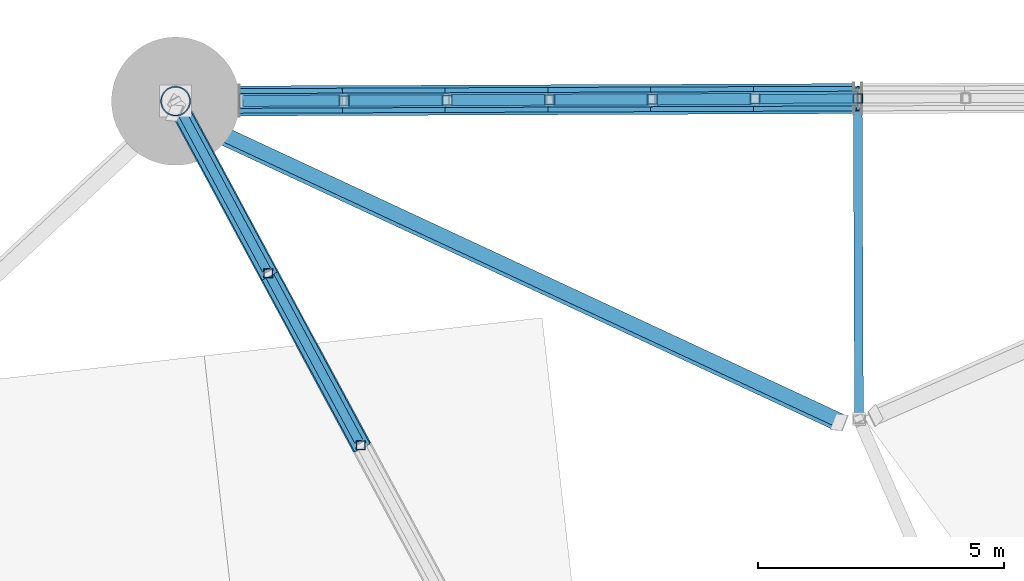
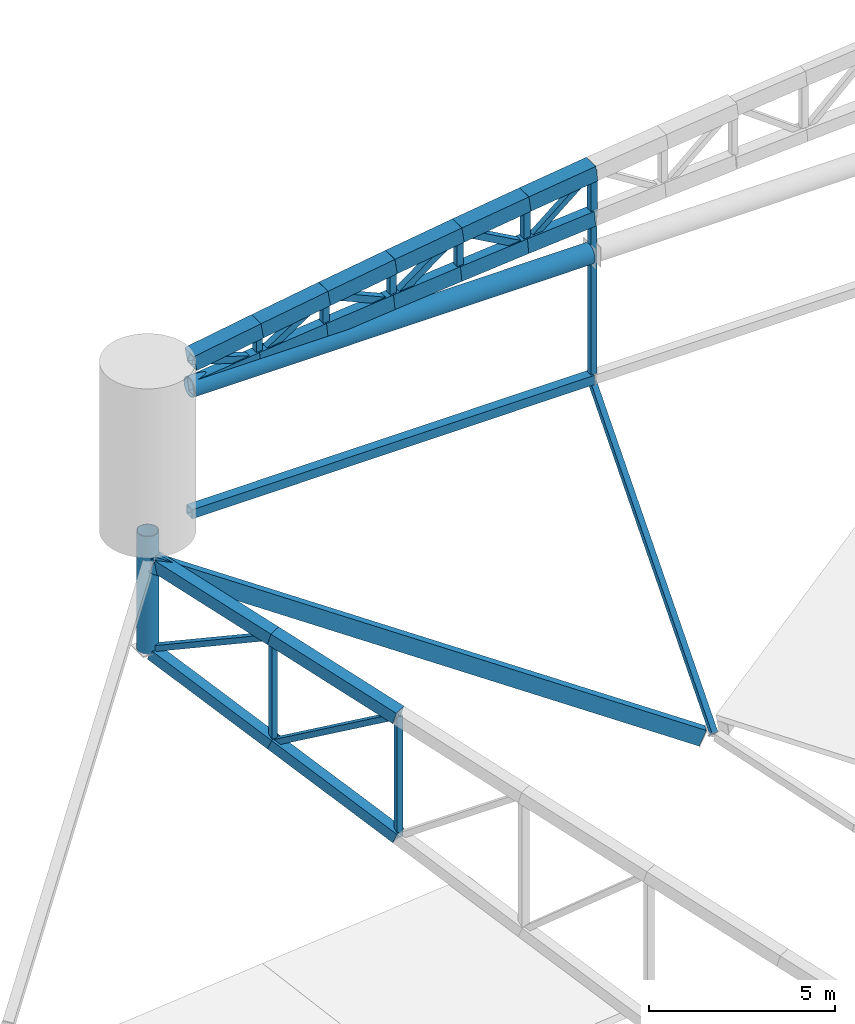
# One storey, part 78 of 188: 37 members, 1 beam.
"""IFC4 building model written with IfcOpenShell, lengths in metres."""

from ifc_helpers import new_model, si_unit, direction, frame, origin, origin_2d, place, context, subcontext, project, spatial, hollow_rectangle, hollow_circle, extrude, material, material_profile, profile_set, type_object, element, save


model = new_model("IFC4")

# Units and contexts
model_context = context("Model", 3, precision=1e-05, world=origin(), true_north=direction((0.0, 1.0)))
body_context = subcontext(model_context, "Body", "Model", "MODEL_VIEW")
ifc_project = project(units=[si_unit("LENGTHUNIT", "METRE"), si_unit("AREAUNIT", "SQUARE_METRE"), si_unit("VOLUMEUNIT", "CUBIC_METRE"), si_unit("PLANEANGLEUNIT", "RADIAN"), si_unit("MASSUNIT", "GRAM", prefix="KILO")], contexts=[model_context])

# Site, building, storey
site_placement = place(None, origin())
site = spatial("IfcSite", under=ifc_project, at=site_placement, CompositionType="ELEMENT")
building_placement = place(site_placement, origin())
building = spatial("IfcBuilding", under=site, at=building_placement, Name="Meseta Stadium", CompositionType="ELEMENT")
storey_placement = place(building_placement, frame((0.0, 0.0, 30.0)))
storey = spatial("IfcBuildingStorey", under=building, at=storey_placement, Name="ROOF", CompositionType="ELEMENT", Elevation=30.0)

# Members
ifc_material_1 = material(Name="Steel S355", Category="steel")
ifc_material_profile_1 = material_profile(ifc_material_1, hollow_circle(Radius=0.304931640625, WallThickness=0.02490234375, at=origin_2d()), Name="CHS 610x25")
ifc_profile_set_1 = profile_set([ifc_material_profile_1], Name="Steel S355")
member_type_1 = type_object("IfcMemberType", Name="CHS 610x25 arch tie", PredefinedType="STRUT", material=ifc_profile_set_1)
member_1_placement = place(storey_placement, frame((-38.4482421875, 105.1044921875, 15.550048828125), z_axis=(-0.999992619282, -0.003842054208, 0.0), x_axis=(0.003842054208, -0.999992619282, 0.0)))
element("IfcMember", 1, at=member_1_placement, inside=storey, type_object=member_type_1, Name="GABLE ARCH GA-N tie 06", PredefinedType="STRUT", context=body_context, shape_type="SweptSolid", body=[
    extrude(hollow_circle(Radius=0.304931640625, WallThickness=0.02490234375, at=origin_2d()), origin(), (0.0, 0.0, 1.0), 12.45458984375),
])
ifc_material_2 = material(Name="Steel S355", Category="steel")
ifc_material_profile_2 = material_profile(ifc_material_2, hollow_circle(Radius=0.304931640625, WallThickness=0.02490234375, at=origin_2d()), Name="CHS 610x25")
ifc_profile_set_2 = profile_set([ifc_material_profile_2], Name="Steel S355")
member_type_2 = type_object("IfcMemberType", Name="CHS 610x25 pylon post", PredefinedType="POST", material=ifc_profile_set_2)
member_2_placement = place(storey_placement, frame((-52.202880859375, 105.0517578125, 7.433837890625), z_axis=(0.0, 0.0, 1.0), x_axis=(1.0, 0.0, 0.0)))
element("IfcMember", 2, at=member_2_placement, inside=storey, type_object=member_type_2, Name="GABLE ARCH GA-N pylon post", PredefinedType="POST", context=body_context, shape_type="SweptSolid", body=[
    extrude(hollow_circle(Radius=0.304931640625, WallThickness=0.02490234375, at=origin_2d()), origin(), (0.0, 0.0, 1.0), 3.8662109375),
])
ifc_material_3 = material(Name="Steel S355", Category="steel")
ifc_material_profile_3 = material_profile(ifc_material_3, hollow_rectangle(XDim=0.300048828125, YDim=0.5, WallThickness=0.01611328125, at=origin_2d()), Name="RHS 500x300x16")
ifc_profile_set_3 = profile_set([ifc_material_profile_3], Name="Steel S355")
member_type_3 = type_object("IfcMemberType", Name="RHS 500x300x16 arch bottom chord", PredefinedType="CHORD", material=ifc_profile_set_3)
member_3_placement = place(storey_placement, frame((-38.3583984375, 105.10498046875, 16.739501953125), z_axis=(-0.996825304627, -0.003853706075, -0.079526479903), x_axis=(0.003865950492, -0.999992527185, 0.0)))
element("IfcMember", 3, at=member_3_placement, inside=storey, type_object=member_type_3, Name="GABLE ARCH GA-N bottom chord", PredefinedType="CHORD", context=body_context, shape_type="SweptSolid", body=[
    extrude(hollow_rectangle(XDim=0.300048828125, YDim=0.5, WallThickness=0.01611328125, at=origin_2d()), origin(), (0.0, 0.0, 1.0), 2.090576171875),
])
member_4_placement = place(storey_placement, frame((-40.4423828125, 105.096923828125, 16.5732421875), z_axis=(-0.996346632817, -0.003851404344, -0.085314441676), x_axis=(0.003865497652, -0.999992528936, 0.0)))
element("IfcMember", 4, at=member_4_placement, inside=storey, type_object=member_type_3, Name="GABLE ARCH GA-N bottom chord", PredefinedType="CHORD", context=body_context, shape_type="SweptSolid", body=[
    extrude(hollow_rectangle(XDim=0.300048828125, YDim=0.5, WallThickness=0.01611328125, at=origin_2d()), origin(), (0.0, 0.0, 1.0), 2.091796875),
])
member_5_placement = place(storey_placement, frame((-42.526611328125, 105.0888671875, 16.394775390625), z_axis=(-0.995801248961, -0.003849747096, -0.091460658293), x_axis=(0.003865950492, -0.999992527185, 0.0)))
element("IfcMember", 5, at=member_5_placement, inside=storey, type_object=member_type_3, Name="GABLE ARCH GA-N bottom chord", PredefinedType="CHORD", context=body_context, shape_type="SweptSolid", body=[
    extrude(hollow_rectangle(XDim=0.300048828125, YDim=0.5, WallThickness=0.01611328125, at=origin_2d()), origin(), (0.0, 0.0, 1.0), 2.0927734375),
])
member_6_placement = place(storey_placement, frame((-44.610595703125, 105.080810546875, 16.203369140625), z_axis=(-0.995219604708, -0.003847498472, -0.097586552149), x_axis=(0.003865950492, -0.999992527185, 0.0)))
element("IfcMember", 6, at=member_6_placement, inside=storey, type_object=member_type_3, Name="GABLE ARCH GA-N bottom chord", PredefinedType="CHORD", context=body_context, shape_type="SweptSolid", body=[
    extrude(hollow_rectangle(XDim=0.300048828125, YDim=0.5, WallThickness=0.01611328125, at=origin_2d()), origin(), (0.0, 0.0, 1.0), 2.093994140625),
])
member_7_placement = place(storey_placement, frame((-46.694580078125, 105.07275390625, 15.9990234375), z_axis=(-0.994578682622, -0.003728068156, -0.103919899836), x_axis=(0.003748363031, -0.999992974863, 0.0)))
element("IfcMember", 7, at=member_7_placement, inside=storey, type_object=member_type_3, Name="GABLE ARCH GA-N bottom chord", PredefinedType="CHORD", context=body_context, shape_type="SweptSolid", body=[
    extrude(hollow_rectangle(XDim=0.300048828125, YDim=0.5, WallThickness=0.01611328125, at=origin_2d()), origin(), (0.0, 0.0, 1.0), 2.095703125),
])
member_8_placement = place(storey_placement, frame((-48.77880859375, 105.06494140625, 15.78125), z_axis=(-0.993894843294, -0.003842376971, -0.110264575515), x_axis=(0.003865950492, -0.999992527185, 0.0)))
element("IfcMember", 8, at=member_8_placement, inside=storey, type_object=member_type_3, Name="GABLE ARCH GA-N bottom chord", PredefinedType="CHORD", context=body_context, shape_type="SweptSolid", body=[
    extrude(hollow_rectangle(XDim=0.300048828125, YDim=0.5, WallThickness=0.01611328125, at=origin_2d()), origin(), (0.0, 0.0, 1.0), 2.0966796875),
])

# Beam
ifc_material_4 = material(Name="Steel S355", Category="steel")
ifc_material_profile_4 = material_profile(ifc_material_4, hollow_rectangle(XDim=0.300048828125, YDim=0.5, WallThickness=0.01611328125, at=origin_2d()), Name="RHS 500x300x16")
ifc_profile_set_4 = profile_set([ifc_material_profile_4], Name="Steel S355")
beam_type = type_object("IfcBeamType", Name="RHS 500x300x16 rim ring beam", PredefinedType="BEAM", material=ifc_profile_set_4)
beam_placement = place(storey_placement, frame((-38.73828125, 98.535400390625, 3.780029296875), z_axis=(-0.828530978869, 0.38540094593, 0.406205031888), x_axis=(-0.362948531862, -0.922047672454, 0.134523057284)))
element("IfcBeam", 9, at=beam_placement, inside=storey, type_object=beam_type, Name="RIM RING BEAM 22", PredefinedType="BEAM", context=body_context, shape_type="SweptSolid", body=[
    extrude(hollow_rectangle(XDim=0.300048828125, YDim=0.5, WallThickness=0.01611328125, at=origin_2d()), origin(), (0.0, 0.0, 1.0), 16.26513671875),
])

# Members
ifc_material_5 = material(Name="Steel S355", Category="steel")
ifc_material_profile_5 = material_profile(ifc_material_5, hollow_rectangle(XDim=0.179931640625, YDim=0.179931640625, WallThickness=0.00634765625, at=origin_2d()), Name="SHS 180x180x6.3")
ifc_profile_set_5 = profile_set([ifc_material_profile_5], Name="Steel S355")
member_type_4 = type_object("IfcMemberType", Name="SHS 180x180x6.3 arch diagonal", PredefinedType="BRACE", material=ifc_profile_set_5)
member_9_placement = place(storey_placement, frame((-38.3583984375, 105.10498046875, 18.2880859375), z_axis=(-0.772177416353, -0.00298522197, -0.635399973344), x_axis=(0.003865950492, -0.999992527185, 0.0)))
element("IfcMember", 10, at=member_9_placement, inside=storey, type_object=member_type_4, Name="GABLE ARCH GA-N diagonal", PredefinedType="BRACE", context=body_context, shape_type="SweptSolid", body=[
    extrude(hollow_rectangle(XDim=0.179931640625, YDim=0.179931640625, WallThickness=0.00634765625, at=origin_2d()), origin(), (0.0, 0.0, 1.0), 2.69873046875),
])
ifc_material_6 = material(Name="Steel S355", Category="steel")
ifc_material_profile_6 = material_profile(ifc_material_6, hollow_rectangle(XDim=0.179931640625, YDim=0.179931640625, WallThickness=0.00634765625, at=origin_2d()), Name="SHS 180x180x6.3")
ifc_profile_set_6 = profile_set([ifc_material_profile_6], Name="Steel S355")
member_type_5 = type_object("IfcMemberType", Name="SHS 180x180x6.3 diagonal", PredefinedType="BRACE", material=ifc_profile_set_6)
member_10_placement = place(storey_placement, frame((-48.442626953125, 98.0712890625, 8.146728515625), z_axis=(-0.408562640707, 0.758448449753, -0.507772111961), x_axis=(-0.880390012232, -0.474250383618, 0.0)))
element("IfcMember", 11, at=member_10_placement, inside=storey, type_object=member_type_5, Name="ROOF TRUSS RT-22 diagonal", PredefinedType="BRACE", context=body_context, shape_type="SweptSolid", body=[
    extrude(hollow_rectangle(XDim=0.179931640625, YDim=0.179931640625, WallThickness=0.00634765625, at=origin_2d()), origin(), (0.0, 0.0, 1.0), 4.601806640625),
])
member_11_placement = place(storey_placement, frame((-50.32275390625, 101.5615234375, 9.290283203125), z_axis=(-0.429492314417, 0.797301925323, -0.42408252939), x_axis=(-0.880390012232, -0.474250383618, 0.0)))
element("IfcMember", 12, at=member_11_placement, inside=storey, type_object=member_type_5, Name="ROOF TRUSS RT-22 diagonal", PredefinedType="BRACE", context=body_context, shape_type="SweptSolid", body=[
    extrude(hollow_rectangle(XDim=0.179931640625, YDim=0.179931640625, WallThickness=0.00634765625, at=origin_2d()), origin(), (0.0, 0.0, 1.0), 4.37744140625),
])
ifc_material_7 = material(Name="Steel S355", Category="steel")
ifc_material_profile_7 = material_profile(ifc_material_7, hollow_rectangle(XDim=0.179931640625, YDim=0.179931640625, WallThickness=0.00634765625, at=origin_2d()), Name="SHS 180x180x6.3")
ifc_profile_set_7 = profile_set([ifc_material_profile_7], Name="Steel S355")
member_type_6 = type_object("IfcMemberType", Name="SHS 180x180x6.3 hanger", PredefinedType="STRUT", material=ifc_profile_set_7)
member_12_placement = place(storey_placement, frame((-38.3583984375, 105.10498046875, 16.739501953125), z_axis=(0.0, 0.0, -1.0), x_axis=(1.0, 0.0, 0.0)))
element("IfcMember", 13, at=member_12_placement, inside=storey, type_object=member_type_6, Name="GABLE ARCH GA-N hanger RT-21", PredefinedType="STRUT", context=body_context, shape_type="SweptSolid", body=[
    extrude(hollow_rectangle(XDim=0.179931640625, YDim=0.179931640625, WallThickness=0.00634765625, at=origin_2d()), origin(), (0.0, 0.0, 1.0), 5.139404296875),
])
member_13_placement = place(storey_placement, frame((-38.3583984375, 105.10498046875, 11.300048828125), z_axis=(0.002509508099, -0.64915858043, -0.760648959654), x_axis=(0.999992527933, 0.003865757033, 0.0)))
element("IfcMember", 14, at=member_13_placement, inside=storey, type_object=member_type_6, Name="GABLE ARCH GA-N hanger RT-21", PredefinedType="STRUT", context=body_context, shape_type="SweptSolid", body=[
    extrude(hollow_rectangle(XDim=0.179931640625, YDim=0.179931640625, WallThickness=0.00634765625, at=origin_2d()), origin(), (0.0, 0.0, 1.0), 10.0205078125),
])
ifc_material_8 = material(Name="Steel S355", Category="steel")
ifc_material_profile_8 = material_profile(ifc_material_8, hollow_rectangle(XDim=0.179931640625, YDim=0.179931640625, WallThickness=0.00634765625, at=origin_2d()), Name="SHS 180x180x6.3")
ifc_profile_set_8 = profile_set([ifc_material_profile_8], Name="Steel S355")
member_type_7 = type_object("IfcMemberType", Name="SHS 180x180x6.3 post", PredefinedType="POST", material=ifc_profile_set_8)
member_14_placement = place(storey_placement, frame((-48.442626953125, 98.0712890625, 4.1865234375), z_axis=(0.0, 0.0, 1.0), x_axis=(1.0, 0.0, 0.0)))
element("IfcMember", 15, at=member_14_placement, inside=storey, type_object=member_type_7, Name="ROOF TRUSS RT-22 post", PredefinedType="POST", context=body_context, shape_type="SweptSolid", body=[
    extrude(hollow_rectangle(XDim=0.179931640625, YDim=0.179931640625, WallThickness=0.00634765625, at=origin_2d()), origin(), (0.0, 0.0, 1.0), 3.960205078125),
])
member_15_placement = place(storey_placement, frame((-50.32275390625, 101.5615234375, 5.81005859375), z_axis=(0.0, 0.0, 1.0), x_axis=(1.0, 0.0, 0.0)))
element("IfcMember", 16, at=member_15_placement, inside=storey, type_object=member_type_7, Name="ROOF TRUSS RT-22 post", PredefinedType="POST", context=body_context, shape_type="SweptSolid", body=[
    extrude(hollow_rectangle(XDim=0.179931640625, YDim=0.179931640625, WallThickness=0.00634765625, at=origin_2d()), origin(), (0.0, 0.0, 1.0), 3.480224609375),
])
ifc_material_9 = material(Name="Steel S355", Category="steel")
ifc_material_profile_9 = material_profile(ifc_material_9, hollow_rectangle(XDim=0.199951171875, YDim=0.199951171875, WallThickness=0.008056640625, at=origin_2d()), Name="SHS 200x200x8")
ifc_profile_set_9 = profile_set([ifc_material_profile_9], Name="Steel S355")
member_type_8 = type_object("IfcMemberType", Name="SHS 200x200x8 arch vertical", PredefinedType="POST", material=ifc_profile_set_9)
member_16_placement = place(storey_placement, frame((-38.3583984375, 105.10498046875, 16.739501953125), z_axis=(0.0, 0.0, 1.0), x_axis=(1.0, 0.0, 0.0)))
element("IfcMember", 17, at=member_16_placement, inside=storey, type_object=member_type_8, Name="GABLE ARCH GA-N vertical", PredefinedType="POST", context=body_context, shape_type="SweptSolid", body=[
    extrude(hollow_rectangle(XDim=0.199951171875, YDim=0.199951171875, WallThickness=0.008056640625, at=origin_2d()), origin(), (0.0, 0.0, 1.0), 1.548583984375),
])
member_17_placement = place(storey_placement, frame((-40.4423828125, 105.096923828125, 16.5732421875), z_axis=(0.0, 0.0, 1.0), x_axis=(1.0, 0.0, 0.0)))
element("IfcMember", 18, at=member_17_placement, inside=storey, type_object=member_type_8, Name="GABLE ARCH GA-N vertical", PredefinedType="POST", context=body_context, shape_type="SweptSolid", body=[
    extrude(hollow_rectangle(XDim=0.199951171875, YDim=0.199951171875, WallThickness=0.008056640625, at=origin_2d()), origin(), (0.0, 0.0, 1.0), 1.446044921875),
])
member_18_placement = place(storey_placement, frame((-42.526611328125, 105.0888671875, 16.394775390625), z_axis=(0.0, 0.0, 1.0), x_axis=(1.0, 0.0, 0.0)))
element("IfcMember", 19, at=member_18_placement, inside=storey, type_object=member_type_8, Name="GABLE ARCH GA-N vertical", PredefinedType="POST", context=body_context, shape_type="SweptSolid", body=[
    extrude(hollow_rectangle(XDim=0.199951171875, YDim=0.199951171875, WallThickness=0.008056640625, at=origin_2d()), origin(), (0.0, 0.0, 1.0), 1.34033203125),
])
member_19_placement = place(storey_placement, frame((-44.610595703125, 105.080810546875, 16.203369140625), z_axis=(0.0, 0.0, 1.0), x_axis=(1.0, 0.0, 0.0)))
element("IfcMember", 20, at=member_19_placement, inside=storey, type_object=member_type_8, Name="GABLE ARCH GA-N vertical", PredefinedType="POST", context=body_context, shape_type="SweptSolid", body=[
    extrude(hollow_rectangle(XDim=0.199951171875, YDim=0.199951171875, WallThickness=0.008056640625, at=origin_2d()), origin(), (0.0, 0.0, 1.0), 1.232666015625),
])
member_20_placement = place(storey_placement, frame((-46.694580078125, 105.07275390625, 15.9990234375), z_axis=(0.0, 0.0, 1.0), x_axis=(1.0, 0.0, 0.0)))
element("IfcMember", 21, at=member_20_placement, inside=storey, type_object=member_type_8, Name="GABLE ARCH GA-N vertical", PredefinedType="POST", context=body_context, shape_type="SweptSolid", body=[
    extrude(hollow_rectangle(XDim=0.199951171875, YDim=0.199951171875, WallThickness=0.008056640625, at=origin_2d()), origin(), (0.0, 0.0, 1.0), 1.122802734375),
])
member_21_placement = place(storey_placement, frame((-48.77880859375, 105.06494140625, 15.78125), z_axis=(0.0, 0.0, 1.0), x_axis=(1.0, 0.0, 0.0)))
element("IfcMember", 22, at=member_21_placement, inside=storey, type_object=member_type_8, Name="GABLE ARCH GA-N vertical", PredefinedType="POST", context=body_context, shape_type="SweptSolid", body=[
    extrude(hollow_rectangle(XDim=0.199951171875, YDim=0.199951171875, WallThickness=0.008056640625, at=origin_2d()), origin(), (0.0, 0.0, 1.0), 1.01171875),
])
ifc_material_10 = material(Name="Steel S355", Category="steel")
ifc_material_profile_10 = material_profile(ifc_material_10, hollow_rectangle(XDim=0.219970703125, YDim=0.219970703125, WallThickness=0.008056640625, at=origin_2d()), Name="SHS 220x220x8")
ifc_profile_set_10 = profile_set([ifc_material_profile_10], Name="Steel S355")
member_type_9 = type_object("IfcMemberType", Name="SHS 220x220x8 arch diagonal", PredefinedType="BRACE", material=ifc_profile_set_10)
member_22_placement = place(storey_placement, frame((-40.4423828125, 105.096923828125, 16.5732421875), z_axis=(-0.873446764554, -0.003376331642, 0.486907948051), x_axis=(0.003865497652, -0.999992528936, 0.0)))
element("IfcMember", 23, at=member_22_placement, inside=storey, type_object=member_type_9, Name="GABLE ARCH GA-N diagonal", PredefinedType="BRACE", context=body_context, shape_type="SweptSolid", body=[
    extrude(hollow_rectangle(XDim=0.219970703125, YDim=0.219970703125, WallThickness=0.008056640625, at=origin_2d()), origin(), (0.0, 0.0, 1.0), 2.38623046875),
])
member_23_placement = place(storey_placement, frame((-42.526611328125, 105.0888671875, 17.735107421875), z_axis=(-0.805758392327, -0.003115045331, -0.592236194173), x_axis=(0.003865950492, -0.999992527185, 0.0)))
element("IfcMember", 24, at=member_23_placement, inside=storey, type_object=member_type_9, Name="GABLE ARCH GA-N diagonal", PredefinedType="BRACE", context=body_context, shape_type="SweptSolid", body=[
    extrude(hollow_rectangle(XDim=0.219970703125, YDim=0.219970703125, WallThickness=0.008056640625, at=origin_2d()), origin(), (0.0, 0.0, 1.0), 2.58642578125),
])
member_24_placement = place(storey_placement, frame((-44.610595703125, 105.080810546875, 16.203369140625), z_axis=(-0.915065708637, -0.003537625162, 0.403289268497), x_axis=(0.003865950492, -0.999992527185, 0.0)))
element("IfcMember", 25, at=member_24_placement, inside=storey, type_object=member_type_9, Name="GABLE ARCH GA-N diagonal", PredefinedType="BRACE", context=body_context, shape_type="SweptSolid", body=[
    extrude(hollow_rectangle(XDim=0.219970703125, YDim=0.219970703125, WallThickness=0.008056640625, at=origin_2d()), origin(), (0.0, 0.0, 1.0), 2.27734375),
])
member_25_placement = place(storey_placement, frame((-46.694580078125, 105.07275390625, 17.121826171875), z_axis=(-0.841043032541, -0.003152556758, -0.540959036158), x_axis=(0.003748363031, -0.999992974863, 0.0)))
element("IfcMember", 26, at=member_25_placement, inside=storey, type_object=member_type_9, Name="GABLE ARCH GA-N diagonal", PredefinedType="BRACE", context=body_context, shape_type="SweptSolid", body=[
    extrude(hollow_rectangle(XDim=0.219970703125, YDim=0.219970703125, WallThickness=0.008056640625, at=origin_2d()), origin(), (0.0, 0.0, 1.0), 2.47802734375),
])
member_26_placement = place(storey_placement, frame((-48.77880859375, 105.06494140625, 15.78125), z_axis=(-0.952175193178, -0.003681089664, 0.305530442141), x_axis=(0.003865950492, -0.999992527185, 0.0)))
element("IfcMember", 27, at=member_26_placement, inside=storey, type_object=member_type_9, Name="GABLE ARCH GA-N diagonal", PredefinedType="BRACE", context=body_context, shape_type="SweptSolid", body=[
    extrude(hollow_rectangle(XDim=0.219970703125, YDim=0.219970703125, WallThickness=0.008056640625, at=origin_2d()), origin(), (0.0, 0.0, 1.0), 2.188720703125),
])
ifc_material_11 = material(Name="Steel S355", Category="steel")
ifc_material_profile_11 = material_profile(ifc_material_11, hollow_rectangle(XDim=0.300048828125, YDim=0.300048828125, WallThickness=0.010009765625, at=origin_2d()), Name="SHS 300x300x10")
ifc_profile_set_11 = profile_set([ifc_material_profile_11], Name="Steel S355")
member_type_10 = type_object("IfcMemberType", Name="SHS 300x300x10 arch sill", PredefinedType="STRUT", material=ifc_profile_set_11)
member_27_placement = place(storey_placement, frame((-38.3583984375, 105.10498046875, 11.449951171875), z_axis=(-0.999992575392, -0.003853460938, 0.0), x_axis=(0.003853460938, -0.999992575392, 0.0)))
element("IfcMember", 28, at=member_27_placement, inside=storey, type_object=member_type_10, Name="GABLE ARCH GA-N sill beam 06", PredefinedType="STRUT", context=body_context, shape_type="SweptSolid", body=[
    extrude(hollow_rectangle(XDim=0.300048828125, YDim=0.300048828125, WallThickness=0.010009765625, at=origin_2d()), origin(), (0.0, 0.0, 1.0), 12.54443359375),
])
ifc_material_12 = material(Name="Steel S355", Category="steel")
ifc_material_profile_12 = material_profile(ifc_material_12, hollow_rectangle(XDim=0.35009765625, YDim=0.35009765625, WallThickness=0.010009765625, at=origin_2d()), Name="SHS 350x350x10")
ifc_profile_set_12 = profile_set([ifc_material_profile_12], Name="Steel S355")
member_type_11 = type_object("IfcMemberType", Name="SHS 350x350x10 bottom chord", PredefinedType="CHORD", material=ifc_profile_set_12)
member_28_placement = place(storey_placement, frame((-48.442626953125, 98.0712890625, 4.1865234375), z_axis=(-0.438873945099, 0.814717818352, 0.378978280081), x_axis=(-0.880390012232, -0.474250383618, 0.0)))
element("IfcMember", 29, at=member_28_placement, inside=storey, type_object=member_type_11, Name="ROOF TRUSS RT-22 bottom chord", PredefinedType="CHORD", context=body_context, shape_type="SweptSolid", body=[
    extrude(hollow_rectangle(XDim=0.35009765625, YDim=0.35009765625, WallThickness=0.010009765625, at=origin_2d()), origin(), (0.0, 0.0, 1.0), 4.283935546875),
])
member_29_placement = place(storey_placement, frame((-50.32275390625, 101.5615234375, 5.81005859375), z_axis=(-0.43884780728, 0.814714477853, 0.379015727408), x_axis=(-0.880400993177, -0.474229998221, 0.0)))
element("IfcMember", 30, at=member_29_placement, inside=storey, type_object=member_type_11, Name="ROOF TRUSS RT-22 bottom chord", PredefinedType="CHORD", context=body_context, shape_type="SweptSolid", body=[
    extrude(hollow_rectangle(XDim=0.35009765625, YDim=0.35009765625, WallThickness=0.010009765625, at=origin_2d()), origin(), (0.0, 0.0, 1.0), 4.10888671875),
])
ifc_material_13 = material(Name="Steel S355", Category="steel")
ifc_material_profile_13 = material_profile(ifc_material_13, hollow_rectangle(XDim=0.39990234375, YDim=0.39990234375, WallThickness=0.010009765625, at=origin_2d()), Name="SHS 400x400x10")
ifc_profile_set_13 = profile_set([ifc_material_profile_13], Name="Steel S355")
member_type_12 = type_object("IfcMemberType", Name="SHS 400x400x10 top chord", PredefinedType="CHORD", material=ifc_profile_set_13)
member_30_placement = place(storey_placement, frame((-48.442626953125, 98.0712890625, 8.146728515625), z_axis=(-0.45567179988, 0.845901058446, 0.277154487812), x_axis=(-0.880390012232, -0.474250383618, 0.0)))
element("IfcMember", 31, at=member_30_placement, inside=storey, type_object=member_type_12, Name="ROOF TRUSS RT-22 top chord", PredefinedType="CHORD", context=body_context, shape_type="SweptSolid", body=[
    extrude(hollow_rectangle(XDim=0.39990234375, YDim=0.39990234375, WallThickness=0.010009765625, at=origin_2d()), origin(), (0.0, 0.0, 1.0), 4.1259765625),
])
member_31_placement = place(storey_placement, frame((-50.32275390625, 101.5615234375, 9.290283203125), z_axis=(-0.455671760503, 0.845903272243, 0.277147795749), x_axis=(-0.880390547556, -0.474249389851, 0.0)))
element("IfcMember", 32, at=member_31_placement, inside=storey, type_object=member_type_12, Name="ROOF TRUSS RT-22 top chord", PredefinedType="CHORD", context=body_context, shape_type="SweptSolid", body=[
    extrude(hollow_rectangle(XDim=0.39990234375, YDim=0.39990234375, WallThickness=0.010009765625, at=origin_2d()), origin(), (0.0, 0.0, 1.0), 3.950927734375),
])
ifc_material_14 = material(Name="Steel S355", Category="steel")
ifc_material_profile_14 = material_profile(ifc_material_14, hollow_rectangle(XDim=0.5, YDim=0.5, WallThickness=0.01611328125, at=origin_2d()), Name="SHS 500x500x16")
ifc_profile_set_14 = profile_set([ifc_material_profile_14], Name="Steel S355")
member_type_13 = type_object("IfcMemberType", Name="SHS 500x500x16 arch top chord", PredefinedType="CHORD", material=ifc_profile_set_14)
member_32_placement = place(storey_placement, frame((-38.3583984375, 105.10498046875, 18.2880859375), z_axis=(-0.991776759369, -0.003834188503, -0.127922470954), x_axis=(0.003865950492, -0.999992527185, 0.0)))
element("IfcMember", 33, at=member_32_placement, inside=storey, type_object=member_type_13, Name="GABLE ARCH GA-N top chord", PredefinedType="CHORD", context=body_context, shape_type="SweptSolid", body=[
    extrude(hollow_rectangle(XDim=0.5, YDim=0.5, WallThickness=0.01611328125, at=origin_2d()), origin(), (0.0, 0.0, 1.0), 2.101318359375),
])
member_33_placement = place(storey_placement, frame((-40.4423828125, 105.096923828125, 18.019287109375), z_axis=(-0.990825019259, -0.0038300604, -0.13509667593), x_axis=(0.003865497652, -0.999992528936, 0.0)))
element("IfcMember", 34, at=member_33_placement, inside=storey, type_object=member_type_13, Name="GABLE ARCH GA-N top chord", PredefinedType="CHORD", context=body_context, shape_type="SweptSolid", body=[
    extrude(hollow_rectangle(XDim=0.5, YDim=0.5, WallThickness=0.01611328125, at=origin_2d()), origin(), (0.0, 0.0, 1.0), 2.103515625),
])
member_34_placement = place(storey_placement, frame((-42.526611328125, 105.0888671875, 17.735107421875), z_axis=(-0.989851592399, -0.003826745847, -0.142053444317), x_axis=(0.003865950492, -0.999992527185, 0.0)))
element("IfcMember", 35, at=member_34_placement, inside=storey, type_object=member_type_13, Name="GABLE ARCH GA-N top chord", PredefinedType="CHORD", context=body_context, shape_type="SweptSolid", body=[
    extrude(hollow_rectangle(XDim=0.5, YDim=0.5, WallThickness=0.01611328125, at=origin_2d()), origin(), (0.0, 0.0, 1.0), 2.10546875),
])
member_35_placement = place(storey_placement, frame((-44.610595703125, 105.080810546875, 17.43603515625), z_axis=(-0.98881668554, -0.003822744918, -0.149087051815), x_axis=(0.003865950492, -0.999992527185, 0.0)))
element("IfcMember", 36, at=member_35_placement, inside=storey, type_object=member_type_13, Name="GABLE ARCH GA-N top chord", PredefinedType="CHORD", context=body_context, shape_type="SweptSolid", body=[
    extrude(hollow_rectangle(XDim=0.5, YDim=0.5, WallThickness=0.01611328125, at=origin_2d()), origin(), (0.0, 0.0, 1.0), 2.107666015625),
])
member_36_placement = place(storey_placement, frame((-46.694580078125, 105.07275390625, 17.121826171875), z_axis=(-0.987773075593, -0.003702558091, -0.155854554624), x_axis=(0.003748363031, -0.999992974863, 0.0)))
element("IfcMember", 37, at=member_36_placement, inside=storey, type_object=member_type_13, Name="GABLE ARCH GA-N top chord", PredefinedType="CHORD", context=body_context, shape_type="SweptSolid", body=[
    extrude(hollow_rectangle(XDim=0.5, YDim=0.5, WallThickness=0.01611328125, at=origin_2d()), origin(), (0.0, 0.0, 1.0), 2.110107421875),
])
member_37_placement = place(storey_placement, frame((-48.77880859375, 105.06494140625, 16.79296875), z_axis=(-0.98671590888, -0.003814623359, -0.162410479379), x_axis=(0.003865950492, -0.999992527185, 0.0)))
element("IfcMember", 38, at=member_37_placement, inside=storey, type_object=member_type_13, Name="GABLE ARCH GA-N top chord", PredefinedType="CHORD", context=body_context, shape_type="SweptSolid", body=[
    extrude(hollow_rectangle(XDim=0.5, YDim=0.5, WallThickness=0.01611328125, at=origin_2d()), origin(), (0.0, 0.0, 1.0), 2.112060546875),
])

save(model, "model.ifc")
